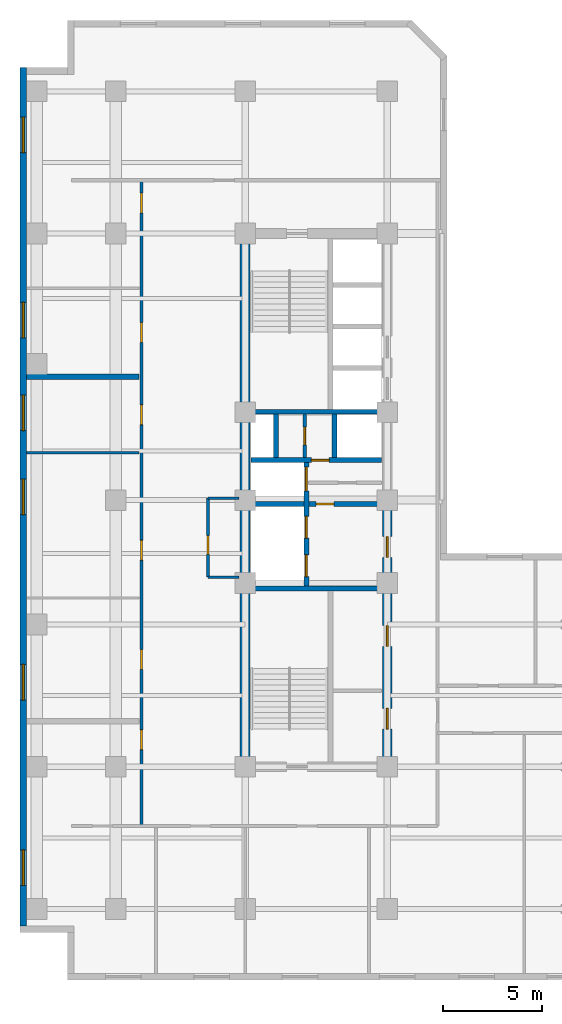
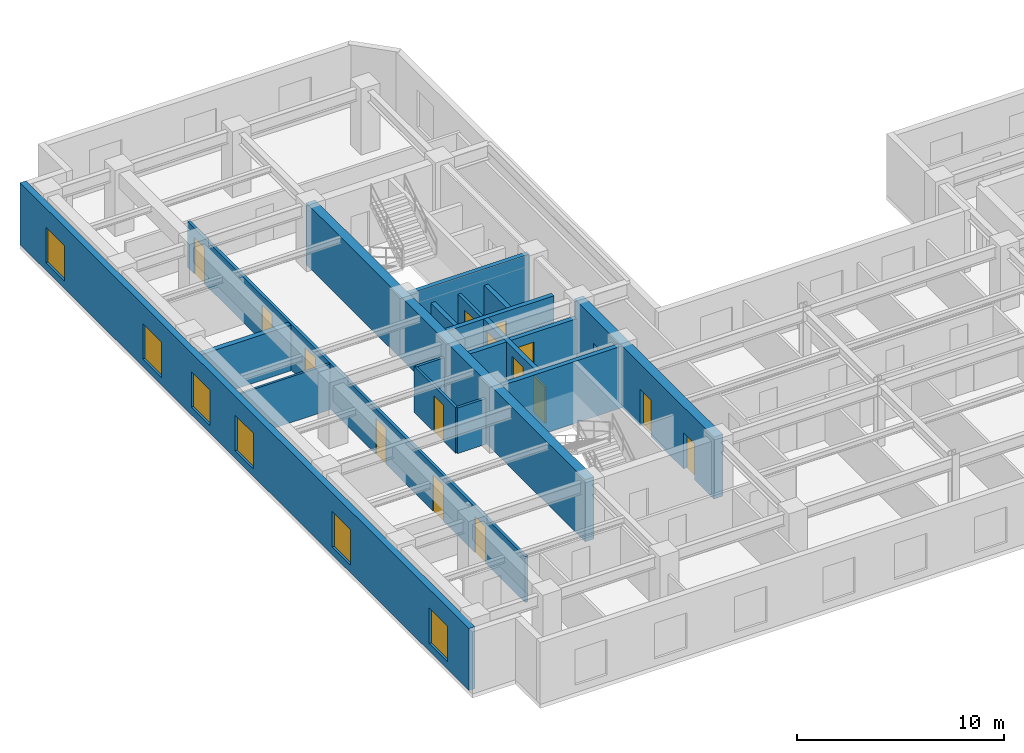
# One storey, part 4 of 10: 17 walls, 16 doors, 6 windows, 22 openings.
"""IFC4 building model written with IfcOpenShell, lengths in metres."""

from ifc_helpers import new_model, entity, si_unit, converted_unit, direction, frame, origin_with_axes, origin_2d_with_axis, place, context, subcontext, project, spatial, polyline, rectangle, outline, extrude, material, layer, layer_set, type_object, element, fill, save


model = new_model("IFC4")

# Units and contexts
model_context = context("Model", 3, precision=1e-05, world=origin_with_axes(), true_north=direction((0.0, 1.0)))
body_context = subcontext(model_context, "Body", "Model", "MODEL_VIEW")
ifc_project = project(units=[si_unit("LENGTHUNIT", "METRE"), si_unit("AREAUNIT", "SQUARE_METRE"), si_unit("VOLUMEUNIT", "CUBIC_METRE"), converted_unit("PLANEANGLEUNIT", "DEGREE", entity("IfcPlaneAngleMeasure", 0.017453292519943295), si_unit("PLANEANGLEUNIT", "RADIAN"), dimensions=[0, 0, 0, 0, 0, 0, 0]), si_unit("MASSUNIT", "GRAM", prefix="KILO"), si_unit("THERMODYNAMICTEMPERATUREUNIT", "KELVIN")], contexts=[model_context])

# Site, building, storey
site_placement = place(None, origin_with_axes())
site = spatial("IfcSite", under=ifc_project, at=site_placement, CompositionType="ELEMENT")
building_placement = place(site_placement, origin_with_axes())
building = spatial("IfcBuilding", under=site, at=building_placement, Name="Varnlund Millrace Tower", CompositionType="ELEMENT")
storey_placement = place(building_placement, frame((0.0, 0.0, 129.0), z_axis=(0.0, 0.0, 1.0), x_axis=(1.0, 0.0, 0.0)))
storey = spatial("IfcBuildingStorey", under=building, at=storey_placement, Name="L31", CompositionType="ELEMENT", Elevation=129.0)

# Wall
ifc_material_1 = material(Name="Concrete C70/85", Category="concrete")
ifc_layer_1 = layer(ifc_material_1, 0.5, Name="Concrete C70/85")
ifc_layer_set_1 = layer_set([ifc_layer_1], Name="Concrete C70/85")
wall_type_1 = type_object("IfcWallType", Name="Type-CoreWall-Shear-500-C70", PredefinedType="SHEAR", material=ifc_layer_set_1)
wall_1_placement = place(storey_placement, frame((11.4, 10.8, 0.0), z_axis=(0.0, 0.0, 1.0), x_axis=(0.0, 1.0, 0.0)))
element("IfcWall", 1, at=wall_1_placement, inside=storey, type_object=wall_type_1, Name="Type-CoreWall-Shear-500-C70", PredefinedType="SHEAR", context=body_context, shape_type="SweptSolid", body=[
    extrude(outline(polyline([(0.0, -0.25), (27.0, -0.25), (27.0, 0.25), (0.0, 0.25), (0.0, -0.25)])), origin_with_axes(), (0.0, 0.0, 1.0), 3.66),
])

# Wall, openings, doors
wall_2_placement = place(storey_placement, frame((18.6, 10.8, 0.0), z_axis=(0.0, 0.0, 1.0), x_axis=(0.0, 1.0, 0.0)))
wall_2 = element("IfcWall", 2, at=wall_2_placement, inside=storey, type_object=wall_type_1, Name="Type-CoreWall-Shear-500-C70", PredefinedType="SHEAR", context=body_context, shape_type="SweptSolid", body=[
    extrude(outline(polyline([(0.0, -0.25), (13.5, -0.25), (13.5, 0.25), (0.0, 0.25), (0.0, -0.25)])), origin_with_axes(), (0.0, 0.0, 1.0), 3.66),
])
opening_1_placement = place(wall_2_placement, frame((11.125, 0.0, 0.0), z_axis=(0.0, 0.0, 1.0), x_axis=(1.0, 0.0, 0.0)))
opening_1 = element("IfcOpeningElement", 3, at=opening_1_placement, cuts=wall_2, Name="Opening L31:DR-FFLOB-A", PredefinedType="OPENING", context=body_context, shape_type="SweptSolid", body=[
    extrude(rectangle(XDim=1.05, YDim=0.52, at=origin_2d_with_axis()), origin_with_axes(), (0.0, 0.0, 1.0), 2.15),
])
opening_2_placement = place(wall_2_placement, frame((2.425, 0.0, 0.0), z_axis=(0.0, 0.0, 1.0), x_axis=(1.0, 0.0, 0.0)))
opening_2 = element("IfcOpeningElement", 4, at=opening_2_placement, cuts=wall_2, Name="Opening L31:DR-RECL-A1-1", PredefinedType="OPENING", context=body_context, shape_type="SweptSolid", body=[
    extrude(rectangle(XDim=1.05, YDim=0.52, at=origin_2d_with_axis()), origin_with_axes(), (0.0, 0.0, 1.0), 2.15),
])
opening_3_placement = place(wall_2_placement, frame((6.625, 0.0, 0.0), z_axis=(0.0, 0.0, 1.0), x_axis=(1.0, 0.0, 0.0)))
opening_3 = element("IfcOpeningElement", 5, at=opening_3_placement, cuts=wall_2, Name="Opening L31:DR-RECL-A1-2", PredefinedType="OPENING", context=body_context, shape_type="SweptSolid", body=[
    extrude(rectangle(XDim=1.05, YDim=0.52, at=origin_2d_with_axis()), origin_with_axes(), (0.0, 0.0, 1.0), 2.15),
])
ifc_material_2 = material(Name="Smoke-barrier hollow steel fire door", Category="steel")
door_type_1 = type_object("IfcDoorType", Name="Type-FireDoor-Lobby-1050X2150", OperationType="NOTDEFINED", PredefinedType="DOOR", material=ifc_material_2)
door_1_placement = place(wall_2_placement, frame((11.125, 0.0, 0.0), z_axis=(0.0, 0.0, 1.0), x_axis=(1.0, 0.0, 0.0)))
door_1 = element("IfcDoor", 6, at=door_1_placement, inside=storey, type_object=door_type_1, Name="Type-FireDoor-Lobby-1050X2150", OperationType="SINGLE_SWING_LEFT", OverallHeight=2.15, OverallWidth=1.05, PredefinedType="DOOR", context=body_context, shape_type="SweptSolid", body=[
    extrude(rectangle(XDim=1.05, YDim=0.09, at=origin_2d_with_axis()), origin_with_axes(), (0.0, 0.0, 1.0), 2.15),
])
fill(opening_1, door_1)
door_2_placement = place(wall_2_placement, frame((2.425, 0.0, 0.0), z_axis=(0.0, 0.0, 1.0), x_axis=(1.0, 0.0, 0.0)))
door_2 = element("IfcDoor", 7, at=door_2_placement, inside=storey, type_object=door_type_1, Name="Type-FireDoor-Lobby-1050X2150", OperationType="SINGLE_SWING_LEFT", OverallHeight=2.15, OverallWidth=1.05, PredefinedType="DOOR", context=body_context, shape_type="SweptSolid", body=[
    extrude(rectangle(XDim=1.05, YDim=0.09, at=origin_2d_with_axis()), origin_with_axes(), (0.0, 0.0, 1.0), 2.15),
])
fill(opening_2, door_2)
door_3_placement = place(wall_2_placement, frame((6.625, 0.0, 0.0), z_axis=(0.0, 0.0, 1.0), x_axis=(1.0, 0.0, 0.0)))
door_3 = element("IfcDoor", 8, at=door_3_placement, inside=storey, type_object=door_type_1, Name="Type-FireDoor-Lobby-1050X2150", OperationType="SINGLE_SWING_RIGHT", OverallHeight=2.15, OverallWidth=1.05, PredefinedType="DOOR", context=body_context, shape_type="SweptSolid", body=[
    extrude(rectangle(XDim=1.05, YDim=0.09, at=origin_2d_with_axis()), origin_with_axes(), (0.0, 0.0, 1.0), 2.15),
])
fill(opening_3, door_3)

# Wall, openings, windows
ifc_material_3 = material(Name="Precast concrete C50/60", Category="concrete")
ifc_layer_2 = layer(ifc_material_3, 0.34, Name="Precast concrete C50/60")
ifc_layer_set_2 = layer_set([ifc_layer_2], Name="Precast concrete C50/60")
wall_type_2 = type_object("IfcWallType", Name="Type-ExtWall-Precast-Upper-340", PredefinedType="SOLIDWALL", material=ifc_layer_set_2)
wall_3_placement = place(storey_placement, frame((0.17, 2.74, 0.0), z_axis=(0.0, 0.0, 1.0), x_axis=(0.0, 1.0, 0.0)))
wall_3 = element("IfcWall", 9, at=wall_3_placement, inside=storey, type_object=wall_type_2, Name="Type-ExtWall-Precast-Upper-340", PredefinedType="SOLIDWALL", context=body_context, shape_type="SweptSolid", body=[
    extrude(outline(polyline([(0.0, -0.17), (43.46, -0.17), (43.46, 0.17), (0.0, 0.17), (0.0, -0.17)])), origin_with_axes(), (0.0, 0.0, 1.0), 3.66),
])
opening_4_placement = place(wall_3_placement, frame((2.948, 0.0, 0.45), z_axis=(0.0, 0.0, 1.0), x_axis=(1.0, 0.0, 0.0)))
opening_4 = element("IfcOpeningElement", 10, at=opening_4_placement, cuts=wall_3, Name="Opening L31:WN-20", PredefinedType="OPENING", context=body_context, shape_type="SweptSolid", body=[
    extrude(rectangle(XDim=1.8, YDim=0.36, at=origin_2d_with_axis()), origin_with_axes(), (0.0, 0.0, 1.0), 2.1),
])
opening_5_placement = place(wall_3_placement, frame((12.339, 0.0, 0.45), z_axis=(0.0, 0.0, 1.0), x_axis=(1.0, 0.0, 0.0)))
opening_5 = element("IfcOpeningElement", 11, at=opening_5_placement, cuts=wall_3, Name="Opening L31:WN-21", PredefinedType="OPENING", context=body_context, shape_type="SweptSolid", body=[
    extrude(rectangle(XDim=1.8, YDim=0.36, at=origin_2d_with_axis()), origin_with_axes(), (0.0, 0.0, 1.0), 2.1),
])
opening_6_placement = place(wall_3_placement, frame((21.73, 0.0, 0.45), z_axis=(0.0, 0.0, 1.0), x_axis=(1.0, 0.0, 0.0)))
opening_6 = element("IfcOpeningElement", 12, at=opening_6_placement, cuts=wall_3, Name="Opening L31:WN-22", PredefinedType="OPENING", context=body_context, shape_type="SweptSolid", body=[
    extrude(rectangle(XDim=1.8, YDim=0.36, at=origin_2d_with_axis()), origin_with_axes(), (0.0, 0.0, 1.0), 2.1),
])
opening_7_placement = place(wall_3_placement, frame((25.976, 0.0, 0.45), z_axis=(0.0, 0.0, 1.0), x_axis=(1.0, 0.0, 0.0)))
opening_7 = element("IfcOpeningElement", 13, at=opening_7_placement, cuts=wall_3, Name="Opening L31:WN-23", PredefinedType="OPENING", context=body_context, shape_type="SweptSolid", body=[
    extrude(rectangle(XDim=1.8, YDim=0.36, at=origin_2d_with_axis()), origin_with_axes(), (0.0, 0.0, 1.0), 2.1),
])
opening_8_placement = place(wall_3_placement, frame((30.671, 0.0, 0.45), z_axis=(0.0, 0.0, 1.0), x_axis=(1.0, 0.0, 0.0)))
opening_8 = element("IfcOpeningElement", 14, at=opening_8_placement, cuts=wall_3, Name="Opening L31:WN-24", PredefinedType="OPENING", context=body_context, shape_type="SweptSolid", body=[
    extrude(rectangle(XDim=1.8, YDim=0.36, at=origin_2d_with_axis()), origin_with_axes(), (0.0, 0.0, 1.0), 2.1),
])
opening_9_placement = place(wall_3_placement, frame((40.062, 0.0, 0.45), z_axis=(0.0, 0.0, 1.0), x_axis=(1.0, 0.0, 0.0)))
opening_9 = element("IfcOpeningElement", 15, at=opening_9_placement, cuts=wall_3, Name="Opening L31:WN-25", PredefinedType="OPENING", context=body_context, shape_type="SweptSolid", body=[
    extrude(rectangle(XDim=1.8, YDim=0.36, at=origin_2d_with_axis()), origin_with_axes(), (0.0, 0.0, 1.0), 2.1),
])
ifc_material_4 = material(Name="Argon low-e triple glazing in thermally broken bronze frame", Category="glass")
window_type = type_object("IfcWindowType", Name="Type-Window-Punched-1800X2100", PartitioningType="SINGLE_PANEL", PredefinedType="WINDOW", material=ifc_material_4)
window_1_placement = place(wall_3_placement, frame((2.948, 0.0, 0.45), z_axis=(0.0, 0.0, 1.0), x_axis=(1.0, 0.0, 0.0)))
window_1 = element("IfcWindow", 16, at=window_1_placement, inside=storey, type_object=window_type, Name="Type-Window-Punched-1800X2100", OverallHeight=2.1, OverallWidth=1.8, PredefinedType="WINDOW", context=body_context, shape_type="SweptSolid", body=[
    extrude(rectangle(XDim=1.8, YDim=0.09, at=origin_2d_with_axis()), origin_with_axes(), (0.0, 0.0, 1.0), 2.1),
])
fill(opening_4, window_1)
window_2_placement = place(wall_3_placement, frame((12.339, 0.0, 0.45), z_axis=(0.0, 0.0, 1.0), x_axis=(1.0, 0.0, 0.0)))
window_2 = element("IfcWindow", 17, at=window_2_placement, inside=storey, type_object=window_type, Name="Type-Window-Punched-1800X2100", OverallHeight=2.1, OverallWidth=1.8, PredefinedType="WINDOW", context=body_context, shape_type="SweptSolid", body=[
    extrude(rectangle(XDim=1.8, YDim=0.09, at=origin_2d_with_axis()), origin_with_axes(), (0.0, 0.0, 1.0), 2.1),
])
fill(opening_5, window_2)
window_3_placement = place(wall_3_placement, frame((21.73, 0.0, 0.45), z_axis=(0.0, 0.0, 1.0), x_axis=(1.0, 0.0, 0.0)))
window_3 = element("IfcWindow", 18, at=window_3_placement, inside=storey, type_object=window_type, Name="Type-Window-Punched-1800X2100", OverallHeight=2.1, OverallWidth=1.8, PredefinedType="WINDOW", context=body_context, shape_type="SweptSolid", body=[
    extrude(rectangle(XDim=1.8, YDim=0.09, at=origin_2d_with_axis()), origin_with_axes(), (0.0, 0.0, 1.0), 2.1),
])
fill(opening_6, window_3)
window_4_placement = place(wall_3_placement, frame((25.976, 0.0, 0.45), z_axis=(0.0, 0.0, 1.0), x_axis=(1.0, 0.0, 0.0)))
window_4 = element("IfcWindow", 19, at=window_4_placement, inside=storey, type_object=window_type, Name="Type-Window-Punched-1800X2100", OverallHeight=2.1, OverallWidth=1.8, PredefinedType="WINDOW", context=body_context, shape_type="SweptSolid", body=[
    extrude(rectangle(XDim=1.8, YDim=0.09, at=origin_2d_with_axis()), origin_with_axes(), (0.0, 0.0, 1.0), 2.1),
])
fill(opening_7, window_4)
window_5_placement = place(wall_3_placement, frame((30.671, 0.0, 0.45), z_axis=(0.0, 0.0, 1.0), x_axis=(1.0, 0.0, 0.0)))
window_5 = element("IfcWindow", 20, at=window_5_placement, inside=storey, type_object=window_type, Name="Type-Window-Punched-1800X2100", OverallHeight=2.1, OverallWidth=1.8, PredefinedType="WINDOW", context=body_context, shape_type="SweptSolid", body=[
    extrude(rectangle(XDim=1.8, YDim=0.09, at=origin_2d_with_axis()), origin_with_axes(), (0.0, 0.0, 1.0), 2.1),
])
fill(opening_8, window_5)
window_6_placement = place(wall_3_placement, frame((40.062, 0.0, 0.45), z_axis=(0.0, 0.0, 1.0), x_axis=(1.0, 0.0, 0.0)))
window_6 = element("IfcWindow", 21, at=window_6_placement, inside=storey, type_object=window_type, Name="Type-Window-Punched-1800X2100", OverallHeight=2.1, OverallWidth=1.8, PredefinedType="WINDOW", context=body_context, shape_type="SweptSolid", body=[
    extrude(rectangle(XDim=1.8, YDim=0.09, at=origin_2d_with_axis()), origin_with_axes(), (0.0, 0.0, 1.0), 2.1),
])
fill(opening_9, window_6)

# Wall
ifc_material_5 = material(Name="Double-stud STC-60 conference acoustic partition", Category="gypsum")
ifc_layer_3 = layer(ifc_material_5, 0.28, Name="Double-stud STC-60 conference acoustic partition")
ifc_layer_set_3 = layer_set([ifc_layer_3], Name="Double-stud STC-60 conference acoustic partition")
wall_type_3 = type_object("IfcWallType", Name="Type-Partition-Acoustic-280", PredefinedType="PARTITIONING", material=ifc_layer_set_3)
wall_4_placement = place(storey_placement, frame((0.335, 30.557, 0.0), z_axis=(0.0, 0.0, 1.0), x_axis=(1.0, 0.0, 0.0)))
element("IfcWall", 22, at=wall_4_placement, inside=storey, type_object=wall_type_3, Name="Type-Partition-Acoustic-280", PredefinedType="PARTITIONING", context=body_context, shape_type="SweptSolid", body=[
    extrude(outline(polyline([(0.0, -0.14), (5.695, -0.14), (5.695, 0.14), (0.0, 0.14), (0.0, -0.14)])), origin_with_axes(), (0.0, 0.0, 1.0), 2.7),
])

# Wall, opening, door
ifc_material_6 = material(Name="Fire-rated gypsum board on cold-formed steel framing", Category="steel")
ifc_layer_4 = layer(ifc_material_6, 0.16, Name="Fire-rated gypsum board on cold-formed steel framing")
ifc_layer_set_4 = layer_set([ifc_layer_4], Name="Fire-rated gypsum board on cold-formed steel framing")
wall_type_4 = type_object("IfcWallType", Name="Type-Partition-Corridor-160", PredefinedType="PARTITIONING", material=ifc_layer_set_4)
wall_5_placement = place(storey_placement, frame((14.42, 26.45, 0.0), z_axis=(0.0, 0.0, 1.0), x_axis=(0.0, 1.0, 0.0)))
wall_5 = element("IfcWall", 23, at=wall_5_placement, inside=storey, type_object=wall_type_4, Name="Type-Partition-Corridor-160", PredefinedType="PARTITIONING", context=body_context, shape_type="SweptSolid", body=[
    extrude(outline(polyline([(0.0, -0.08), (2.2, -0.08), (2.2, 0.08), (0.0, 0.08), (0.0, -0.08)])), origin_with_axes(), (0.0, 0.0, 1.0), 2.7),
])
opening_10_placement = place(wall_5_placement, frame((1.1, 0.0, 0.0), z_axis=(0.0, 0.0, 1.0), x_axis=(1.0, 0.0, 0.0)))
opening_10 = element("IfcOpeningElement", 24, at=opening_10_placement, cuts=wall_5, Name="Opening L31:DR-CA-EL2", PredefinedType="OPENING", context=body_context, shape_type="SweptSolid", body=[
    extrude(rectangle(XDim=0.9, YDim=0.18, at=origin_2d_with_axis()), origin_with_axes(), (0.0, 0.0, 1.0), 2.15),
])
ifc_material_7 = material(Name="Painted steel riser and closet door", Category="steel")
door_type_2 = type_object("IfcDoorType", Name="Type-IntDoor-Closet-900X2150", OperationType="NOTDEFINED", PredefinedType="DOOR", material=ifc_material_7)
door_4_placement = place(wall_5_placement, frame((1.1, 0.0, 0.0), z_axis=(0.0, 0.0, 1.0), x_axis=(1.0, 0.0, 0.0)))
door_4 = element("IfcDoor", 25, at=door_4_placement, inside=storey, type_object=door_type_2, Name="Type-IntDoor-Closet-900X2150", OperationType="SINGLE_SWING_LEFT", OverallHeight=2.15, OverallWidth=0.9, PredefinedType="DOOR", context=body_context, shape_type="SweptSolid", body=[
    extrude(rectangle(XDim=0.9, YDim=0.09, at=origin_2d_with_axis()), origin_with_axes(), (0.0, 0.0, 1.0), 2.15),
])
fill(opening_10, door_4)

# Wall, openings, doors
wall_6_placement = place(storey_placement, frame((6.15, 7.8, 0.0), z_axis=(0.0, 0.0, 1.0), x_axis=(0.0, 1.0, 0.0)))
wall_6 = element("IfcWall", 26, at=wall_6_placement, inside=storey, type_object=wall_type_4, Name="Type-Partition-Corridor-160", PredefinedType="PARTITIONING", context=body_context, shape_type="SweptSolid", body=[
    extrude(outline(polyline([(0.0, -0.08), (32.7, -0.08), (32.7, 0.08), (0.0, 0.08), (0.0, -0.08)])), origin_with_axes(), (0.0, 0.0, 1.0), 2.7),
])
opening_11_placement = place(wall_6_placement, frame((4.368, 0.0, 0.0), z_axis=(0.0, 0.0, 1.0), x_axis=(1.0, 0.0, 0.0)))
opening_11 = element("IfcOpeningElement", 27, at=opening_11_placement, cuts=wall_6, Name="Opening L31:DR-W-01", PredefinedType="OPENING", context=body_context, shape_type="SweptSolid", body=[
    extrude(rectangle(XDim=1.0, YDim=0.18, at=origin_2d_with_axis()), origin_with_axes(), (0.0, 0.0, 1.0), 2.15),
])
opening_12_placement = place(wall_6_placement, frame((8.4255, 0.0, 0.0), z_axis=(0.0, 0.0, 1.0), x_axis=(1.0, 0.0, 0.0)))
opening_12 = element("IfcOpeningElement", 28, at=opening_12_placement, cuts=wall_6, Name="Opening L31:DR-W-02", PredefinedType="OPENING", context=body_context, shape_type="SweptSolid", body=[
    extrude(rectangle(XDim=1.0, YDim=0.18, at=origin_2d_with_axis()), origin_with_axes(), (0.0, 0.0, 1.0), 2.15),
])
opening_13_placement = place(wall_6_placement, frame((13.968, 0.0, 0.0), z_axis=(0.0, 0.0, 1.0), x_axis=(1.0, 0.0, 0.0)))
opening_13 = element("IfcOpeningElement", 29, at=opening_13_placement, cuts=wall_6, Name="Opening L31:DR-W-03", PredefinedType="OPENING", context=body_context, shape_type="SweptSolid", body=[
    extrude(rectangle(XDim=1.0, YDim=0.18, at=origin_2d_with_axis()), origin_with_axes(), (0.0, 0.0, 1.0), 2.15),
])
opening_14_placement = place(wall_6_placement, frame((20.824, 0.0, 0.0), z_axis=(0.0, 0.0, 1.0), x_axis=(1.0, 0.0, 0.0)))
opening_14 = element("IfcOpeningElement", 30, at=opening_14_placement, cuts=wall_6, Name="Opening L31:DR-W-04", PredefinedType="OPENING", context=body_context, shape_type="SweptSolid", body=[
    extrude(rectangle(XDim=1.0, YDim=0.18, at=origin_2d_with_axis()), origin_with_axes(), (0.0, 0.0, 1.0), 2.15),
])
opening_15_placement = place(wall_6_placement, frame((24.995, 0.0, 0.0), z_axis=(0.0, 0.0, 1.0), x_axis=(1.0, 0.0, 0.0)))
opening_15 = element("IfcOpeningElement", 31, at=opening_15_placement, cuts=wall_6, Name="Opening L31:DR-W-05", PredefinedType="OPENING", context=body_context, shape_type="SweptSolid", body=[
    extrude(rectangle(XDim=1.0, YDim=0.18, at=origin_2d_with_axis()), origin_with_axes(), (0.0, 0.0, 1.0), 2.15),
])
opening_16_placement = place(wall_6_placement, frame((31.551, 0.0, 0.0), z_axis=(0.0, 0.0, 1.0), x_axis=(1.0, 0.0, 0.0)))
opening_16 = element("IfcOpeningElement", 32, at=opening_16_placement, cuts=wall_6, Name="Opening L31:DR-W-06", PredefinedType="OPENING", context=body_context, shape_type="SweptSolid", body=[
    extrude(rectangle(XDim=1.0, YDim=0.18, at=origin_2d_with_axis()), origin_with_axes(), (0.0, 0.0, 1.0), 2.15),
])
ifc_material_8 = material(Name="Solid-core white oak and bronze frame door")
door_type_3 = type_object("IfcDoorType", Name="Type-IntDoor-Office-1000X2150", OperationType="NOTDEFINED", PredefinedType="DOOR", material=ifc_material_8)
door_5_placement = place(wall_6_placement, frame((4.368, 0.0, 0.0), z_axis=(0.0, 0.0, 1.0), x_axis=(1.0, 0.0, 0.0)))
door_5 = element("IfcDoor", 33, at=door_5_placement, inside=storey, type_object=door_type_3, Name="Type-IntDoor-Office-1000X2150", OperationType="SINGLE_SWING_LEFT", OverallHeight=2.15, OverallWidth=1.0, PredefinedType="DOOR", context=body_context, shape_type="SweptSolid", body=[
    extrude(rectangle(XDim=1.0, YDim=0.09, at=origin_2d_with_axis()), origin_with_axes(), (0.0, 0.0, 1.0), 2.15),
])
fill(opening_11, door_5)
door_6_placement = place(wall_6_placement, frame((8.4255, 0.0, 0.0), z_axis=(0.0, 0.0, 1.0), x_axis=(1.0, 0.0, 0.0)))
door_6 = element("IfcDoor", 34, at=door_6_placement, inside=storey, type_object=door_type_3, Name="Type-IntDoor-Office-1000X2150", OperationType="SINGLE_SWING_RIGHT", OverallHeight=2.15, OverallWidth=1.0, PredefinedType="DOOR", context=body_context, shape_type="SweptSolid", body=[
    extrude(rectangle(XDim=1.0, YDim=0.09, at=origin_2d_with_axis()), origin_with_axes(), (0.0, 0.0, 1.0), 2.15),
])
fill(opening_12, door_6)
door_7_placement = place(wall_6_placement, frame((13.968, 0.0, 0.0), z_axis=(0.0, 0.0, 1.0), x_axis=(1.0, 0.0, 0.0)))
door_7 = element("IfcDoor", 35, at=door_7_placement, inside=storey, type_object=door_type_3, Name="Type-IntDoor-Office-1000X2150", OperationType="SINGLE_SWING_LEFT", OverallHeight=2.15, OverallWidth=1.0, PredefinedType="DOOR", context=body_context, shape_type="SweptSolid", body=[
    extrude(rectangle(XDim=1.0, YDim=0.09, at=origin_2d_with_axis()), origin_with_axes(), (0.0, 0.0, 1.0), 2.15),
])
fill(opening_13, door_7)
door_8_placement = place(wall_6_placement, frame((20.824, 0.0, 0.0), z_axis=(0.0, 0.0, 1.0), x_axis=(1.0, 0.0, 0.0)))
door_8 = element("IfcDoor", 36, at=door_8_placement, inside=storey, type_object=door_type_3, Name="Type-IntDoor-Office-1000X2150", OperationType="SINGLE_SWING_RIGHT", OverallHeight=2.15, OverallWidth=1.0, PredefinedType="DOOR", context=body_context, shape_type="SweptSolid", body=[
    extrude(rectangle(XDim=1.0, YDim=0.09, at=origin_2d_with_axis()), origin_with_axes(), (0.0, 0.0, 1.0), 2.15),
])
fill(opening_14, door_8)
door_9_placement = place(wall_6_placement, frame((24.995, 0.0, 0.0), z_axis=(0.0, 0.0, 1.0), x_axis=(1.0, 0.0, 0.0)))
door_9 = element("IfcDoor", 37, at=door_9_placement, inside=storey, type_object=door_type_3, Name="Type-IntDoor-Office-1000X2150", OperationType="SINGLE_SWING_LEFT", OverallHeight=2.15, OverallWidth=1.0, PredefinedType="DOOR", context=body_context, shape_type="SweptSolid", body=[
    extrude(rectangle(XDim=1.0, YDim=0.09, at=origin_2d_with_axis()), origin_with_axes(), (0.0, 0.0, 1.0), 2.15),
])
fill(opening_15, door_9)
door_10_placement = place(wall_6_placement, frame((31.551, 0.0, 0.0), z_axis=(0.0, 0.0, 1.0), x_axis=(1.0, 0.0, 0.0)))
door_10 = element("IfcDoor", 38, at=door_10_placement, inside=storey, type_object=door_type_3, Name="Type-IntDoor-Office-1000X2150", OperationType="SINGLE_SWING_RIGHT", OverallHeight=2.15, OverallWidth=1.0, PredefinedType="DOOR", context=body_context, shape_type="SweptSolid", body=[
    extrude(rectangle(XDim=1.0, YDim=0.09, at=origin_2d_with_axis()), origin_with_axes(), (0.0, 0.0, 1.0), 2.15),
])
fill(opening_16, door_10)

# Wall
ifc_material_9 = material(Name="Gypsum board tenant partition", Category="gypsum")
ifc_layer_5 = layer(ifc_material_9, 0.125, Name="Gypsum board tenant partition")
ifc_layer_set_5 = layer_set([ifc_layer_5], Name="Gypsum board tenant partition")
wall_type_5 = type_object("IfcWallType", Name="Type-Partition-Tenant-125", PredefinedType="PARTITIONING", material=ifc_layer_set_5)
wall_7_placement = place(storey_placement, frame((0.335, 26.691, 0.0), z_axis=(0.0, 0.0, 1.0), x_axis=(1.0, 0.0, 0.0)))
element("IfcWall", 39, at=wall_7_placement, inside=storey, type_object=wall_type_5, Name="Type-Partition-Tenant-125", PredefinedType="PARTITIONING", context=body_context, shape_type="SweptSolid", body=[
    extrude(outline(polyline([(0.0, -0.0625), (5.695, -0.0625), (5.695, 0.0625), (0.0, 0.0625), (0.0, -0.0625)])), origin_with_axes(), (0.0, 0.0, 1.0), 2.7),
])

# Wall, opening, door
ifc_material_10 = material(Name="Moisture-resistant gypsum restroom partition", Category="gypsum")
ifc_layer_6 = layer(ifc_material_10, 0.14, Name="Moisture-resistant gypsum restroom partition")
ifc_layer_set_6 = layer_set([ifc_layer_6], Name="Moisture-resistant gypsum restroom partition")
wall_type_6 = type_object("IfcWallType", Name="Type-Partition-Wet-140", PredefinedType="PARTITIONING", material=ifc_layer_set_6)
wall_8_placement = place(storey_placement, frame((9.52, 20.4, 0.0), z_axis=(0.0, 0.0, 1.0), x_axis=(0.0, 1.0, 0.0)))
wall_8 = element("IfcWall", 40, at=wall_8_placement, inside=storey, type_object=wall_type_6, Name="Type-Partition-Wet-140", PredefinedType="PARTITIONING", context=body_context, shape_type="SweptSolid", body=[
    extrude(outline(polyline([(0.0, -0.07), (4.0, -0.07), (4.0, 0.07), (0.0, 0.07), (0.0, -0.07)])), origin_with_axes(), (0.0, 0.0, 1.0), 2.7),
])
opening_17_placement = place(wall_8_placement, frame((1.625, 0.0, 0.0), z_axis=(0.0, 0.0, 1.0), x_axis=(1.0, 0.0, 0.0)))
opening_17 = element("IfcOpeningElement", 41, at=opening_17_placement, cuts=wall_8, Name="Opening L31:DR-CA-WCW", PredefinedType="OPENING", context=body_context, shape_type="SweptSolid", body=[
    extrude(rectangle(XDim=0.95, YDim=0.16, at=origin_2d_with_axis()), origin_with_axes(), (0.0, 0.0, 1.0), 2.15),
])
ifc_material_11 = material(Name="Solid-core acoustic office door")
door_type_4 = type_object("IfcDoorType", Name="Type-IntDoor-Tenant-950X2150", OperationType="NOTDEFINED", PredefinedType="DOOR", material=ifc_material_11)
door_11_placement = place(wall_8_placement, frame((1.625, 0.0, 0.0), z_axis=(0.0, 0.0, 1.0), x_axis=(1.0, 0.0, 0.0)))
door_11 = element("IfcDoor", 42, at=door_11_placement, inside=storey, type_object=door_type_4, Name="Type-IntDoor-Tenant-950X2150", OperationType="SINGLE_SWING_LEFT", OverallHeight=2.15, OverallWidth=0.95, PredefinedType="DOOR", context=body_context, shape_type="SweptSolid", body=[
    extrude(rectangle(XDim=0.95, YDim=0.084, at=origin_2d_with_axis()), origin_with_axes(), (0.0, 0.0, 1.0), 2.15),
])
fill(opening_17, door_11)

# Walls
for number, where, z_axis, x_axis, name in (
    (43, (9.52, 20.4, 0.0), (0.0, 0.0, 1.0), (1.0, 0.0, 0.0), "Type-Partition-Wet-140"),
    (44, (9.52, 24.4, 0.0), (0.0, 0.0, 1.0), (1.0, 0.0, 0.0), "Type-Partition-Wet-140"),
):
    element("IfcWall", number, at=place(storey_placement, frame(where, z_axis=z_axis, x_axis=x_axis)), inside=storey, type_object=wall_type_6, Name=name, PredefinedType="PARTITIONING", context=body_context, shape_type="SweptSolid", body=[
        extrude(outline(polyline([(0.0, -0.07), (1.58, -0.07), (1.58, 0.07), (0.0, 0.07), (0.0, -0.07)])), origin_with_axes(), (0.0, 0.0, 1.0), 2.7),
    ])

# Wall, openings, doors
ifc_material_12 = material(Name="Concrete C60/75", Category="concrete")
ifc_layer_7 = layer(ifc_material_12, 0.25, Name="Concrete C60/75")
ifc_layer_set_7 = layer_set([ifc_layer_7], Name="Concrete C60/75")
wall_type_7 = type_object("IfcWallType", Name="Type-ShaftWall-Fire-250", PredefinedType="SOLIDWALL", material=ifc_layer_set_7)
wall_9_placement = place(storey_placement, frame((14.5, 19.95, 0.0), z_axis=(0.0, 0.0, 1.0), x_axis=(0.0, 1.0, 0.0)))
wall_9 = element("IfcWall", 45, at=wall_9_placement, inside=storey, type_object=wall_type_7, Name="Type-ShaftWall-Fire-250", PredefinedType="SOLIDWALL", context=body_context, shape_type="SweptSolid", body=[
    extrude(outline(polyline([(0.0, -0.125), (6.25, -0.125), (6.25, 0.125), (0.0, 0.125), (0.0, -0.125)])), origin_with_axes(), (0.0, 0.0, 1.0), 2.7),
])
opening_18_placement = place(wall_9_placement, frame((1.025, 0.0, 0.0), z_axis=(0.0, 0.0, 1.0), x_axis=(1.0, 0.0, 0.0)))
opening_18 = element("IfcOpeningElement", 46, at=opening_18_placement, cuts=wall_9, Name="Opening L31:LD-FSAE1", PredefinedType="OPENING", context=body_context, shape_type="SweptSolid", body=[
    extrude(rectangle(XDim=1.1, YDim=0.27, at=origin_2d_with_axis()), origin_with_axes(), (0.0, 0.0, 1.0), 2.15),
])
opening_19_placement = place(wall_9_placement, frame((2.975, 0.0, 0.0), z_axis=(0.0, 0.0, 1.0), x_axis=(1.0, 0.0, 0.0)))
opening_19 = element("IfcOpeningElement", 47, at=opening_19_placement, cuts=wall_9, Name="Opening L31:LD-FSAE2", PredefinedType="OPENING", context=body_context, shape_type="SweptSolid", body=[
    extrude(rectangle(XDim=1.1, YDim=0.27, at=origin_2d_with_axis()), origin_with_axes(), (0.0, 0.0, 1.0), 2.15),
])
opening_20_placement = place(wall_9_placement, frame((5.425, 0.0, 0.0), z_axis=(0.0, 0.0, 1.0), x_axis=(1.0, 0.0, 0.0)))
opening_20 = element("IfcOpeningElement", 48, at=opening_20_placement, cuts=wall_9, Name="Opening L31:LD-SRV1", PredefinedType="OPENING", context=body_context, shape_type="SweptSolid", body=[
    extrude(rectangle(XDim=1.2, YDim=0.27, at=origin_2d_with_axis()), origin_with_axes(), (0.0, 0.0, 1.0), 2.15),
])
ifc_material_13 = material(Name="Stainless and architectural bronze sliding landing door")
door_type_5 = type_object("IfcDoorType", Name="Type-LiftLandingDoor-1100X2150", OperationType="NOTDEFINED", PredefinedType="DOOR", material=ifc_material_13)
door_12_placement = place(wall_9_placement, frame((1.025, 0.0, 0.0), z_axis=(0.0, 0.0, 1.0), x_axis=(1.0, 0.0, 0.0)))
door_12 = element("IfcDoor", 49, at=door_12_placement, inside=storey, type_object=door_type_5, Name="Type-LiftLandingDoor-1100X2150", OperationType="SLIDING_TO_LEFT", OverallHeight=2.15, OverallWidth=1.1, PredefinedType="DOOR", context=body_context, shape_type="SweptSolid", body=[
    extrude(rectangle(XDim=1.1, YDim=0.09, at=origin_2d_with_axis()), origin_with_axes(), (0.0, 0.0, 1.0), 2.15),
])
fill(opening_18, door_12)
door_13_placement = place(wall_9_placement, frame((2.975, 0.0, 0.0), z_axis=(0.0, 0.0, 1.0), x_axis=(1.0, 0.0, 0.0)))
door_13 = element("IfcDoor", 50, at=door_13_placement, inside=storey, type_object=door_type_5, Name="Type-LiftLandingDoor-1100X2150", OperationType="SLIDING_TO_RIGHT", OverallHeight=2.15, OverallWidth=1.1, PredefinedType="DOOR", context=body_context, shape_type="SweptSolid", body=[
    extrude(rectangle(XDim=1.1, YDim=0.09, at=origin_2d_with_axis()), origin_with_axes(), (0.0, 0.0, 1.0), 2.15),
])
fill(opening_19, door_13)
ifc_material_14 = material(Name="Heavy-duty freight sliding landing door")
door_type_6 = type_object("IfcDoorType", Name="Type-LiftLandingDoor-Service-1200X2150", OperationType="NOTDEFINED", PredefinedType="DOOR", material=ifc_material_14)
door_14_placement = place(wall_9_placement, frame((5.425, 0.0, 0.0), z_axis=(0.0, 0.0, 1.0), x_axis=(1.0, 0.0, 0.0)))
door_14 = element("IfcDoor", 51, at=door_14_placement, inside=storey, type_object=door_type_6, Name="Type-LiftLandingDoor-Service-1200X2150", OperationType="DOUBLE_DOOR_SLIDING", OverallHeight=2.15, OverallWidth=1.2, PredefinedType="DOOR", context=body_context, shape_type="SweptSolid", body=[
    extrude(rectangle(XDim=1.2, YDim=0.09, at=origin_2d_with_axis()), origin_with_axes(), (0.0, 0.0, 1.0), 2.15),
])
fill(opening_20, door_14)

# Wall, opening, door
wall_10_placement = place(storey_placement, frame((11.7, 24.1, 0.0), z_axis=(0.0, 0.0, 1.0), x_axis=(1.0, 0.0, 0.0)))
wall_10 = element("IfcWall", 52, at=wall_10_placement, inside=storey, type_object=wall_type_7, Name="Type-ShaftWall-Fire-250", PredefinedType="SOLIDWALL", context=body_context, shape_type="SweptSolid", body=[
    extrude(outline(polyline([(0.0, -0.125), (6.6, -0.125), (6.6, 0.125), (0.0, 0.125), (0.0, -0.125)])), origin_with_axes(), (0.0, 0.0, 1.0), 2.7),
])
opening_21_placement = place(wall_10_placement, frame((3.75, 0.0, 0.0), z_axis=(0.0, 0.0, 1.0), x_axis=(1.0, 0.0, 0.0)))
opening_21 = element("IfcOpeningElement", 53, at=opening_21_placement, cuts=wall_10, Name="Opening L31:DR-CA-SUB1", PredefinedType="OPENING", context=body_context, shape_type="SweptSolid", body=[
    extrude(rectangle(XDim=0.9, YDim=0.27, at=origin_2d_with_axis()), origin_with_axes(), (0.0, 0.0, 1.0), 2.15),
])
ifc_material_15 = material(Name="Fire-rated hollow steel service closet door", Category="steel")
door_type_7 = type_object("IfcDoorType", Name="Type-FireDoor-Closet-900X2150", OperationType="NOTDEFINED", PredefinedType="DOOR", material=ifc_material_15)
door_15_placement = place(wall_10_placement, frame((3.75, 0.0, 0.0), z_axis=(0.0, 0.0, 1.0), x_axis=(1.0, 0.0, 0.0)))
door_15 = element("IfcDoor", 54, at=door_15_placement, inside=storey, type_object=door_type_7, Name="Type-FireDoor-Closet-900X2150", OperationType="SINGLE_SWING_LEFT", OverallHeight=2.15, OverallWidth=0.9, PredefinedType="DOOR", context=body_context, shape_type="SweptSolid", body=[
    extrude(rectangle(XDim=0.9, YDim=0.09, at=origin_2d_with_axis()), origin_with_axes(), (0.0, 0.0, 1.0), 2.15),
])
fill(opening_21, door_15)

wall_11_placement = place(storey_placement, frame((11.7, 26.325, 0.0), z_axis=(0.0, 0.0, 1.0), x_axis=(1.0, 0.0, 0.0)))
wall_11 = element("IfcWall", 55, at=wall_11_placement, inside=storey, type_object=wall_type_7, Name="Type-ShaftWall-Fire-250", PredefinedType="SOLIDWALL", context=body_context, shape_type="SweptSolid", body=[
    extrude(outline(polyline([(0.0, -0.125), (6.6, -0.125), (6.6, 0.125), (0.0, 0.125), (0.0, -0.125)])), origin_with_axes(), (0.0, 0.0, 1.0), 2.7),
])
opening_22_placement = place(wall_11_placement, frame((3.5, 0.0, 0.0), z_axis=(0.0, 0.0, 1.0), x_axis=(1.0, 0.0, 0.0)))
opening_22 = element("IfcOpeningElement", 56, at=opening_22_placement, cuts=wall_11, Name="Opening L31:DR-CA-EL1", PredefinedType="OPENING", context=body_context, shape_type="SweptSolid", body=[
    extrude(rectangle(XDim=0.9, YDim=0.27, at=origin_2d_with_axis()), origin_with_axes(), (0.0, 0.0, 1.0), 2.15),
])
door_16_placement = place(wall_11_placement, frame((3.5, 0.0, 0.0), z_axis=(0.0, 0.0, 1.0), x_axis=(1.0, 0.0, 0.0)))
door_16 = element("IfcDoor", 57, at=door_16_placement, inside=storey, type_object=door_type_7, Name="Type-FireDoor-Closet-900X2150", OperationType="SINGLE_SWING_LEFT", OverallHeight=2.15, OverallWidth=0.9, PredefinedType="DOOR", context=body_context, shape_type="SweptSolid", body=[
    extrude(rectangle(XDim=0.9, YDim=0.09, at=origin_2d_with_axis()), origin_with_axes(), (0.0, 0.0, 1.0), 2.15),
])
fill(opening_22, door_16)

# Walls
for number, where, z_axis, x_axis, name in (
    (58, (12.96, 26.45, 0.0), (0.0, 0.0, 1.0), (0.0, 1.0, 0.0), "Type-ShaftWall-Fire-250"),
    (59, (15.925, 26.45, 0.0), (0.0, 0.0, 1.0), (0.0, 1.0, 0.0), "Type-ShaftWall-Fire-250"),
):
    element("IfcWall", number, at=place(storey_placement, frame(where, z_axis=z_axis, x_axis=x_axis)), inside=storey, type_object=wall_type_7, Name=name, PredefinedType="SOLIDWALL", context=body_context, shape_type="SweptSolid", body=[
        extrude(outline(polyline([(0.0, -0.125), (2.2, -0.125), (2.2, 0.125), (0.0, 0.125), (0.0, -0.125)])), origin_with_axes(), (0.0, 0.0, 1.0), 2.7),
    ])
wall_type_8 = type_object("IfcWallType", Name="Type-StairWall-Shear-250", PredefinedType="SHEAR", material=ifc_layer_set_7)
for number, where, z_axis, x_axis, name in (
    (60, (11.65, 19.825, 0.0), (0.0, 0.0, 1.0), (1.0, 0.0, 0.0), "Type-StairWall-Shear-250"),
    (61, (11.65, 28.775, 0.0), (0.0, 0.0, 1.0), (1.0, 0.0, 0.0), "Type-StairWall-Shear-250"),
):
    element("IfcWall", number, at=place(storey_placement, frame(where, z_axis=z_axis, x_axis=x_axis)), inside=storey, type_object=wall_type_8, Name=name, PredefinedType="SHEAR", context=body_context, shape_type="SweptSolid", body=[
        extrude(outline(polyline([(0.0, -0.125), (6.7, -0.125), (6.7, 0.125), (0.0, 0.125), (0.0, -0.125)])), origin_with_axes(), (0.0, 0.0, 1.0), 3.66),
    ])

save(model, "model.ifc")
